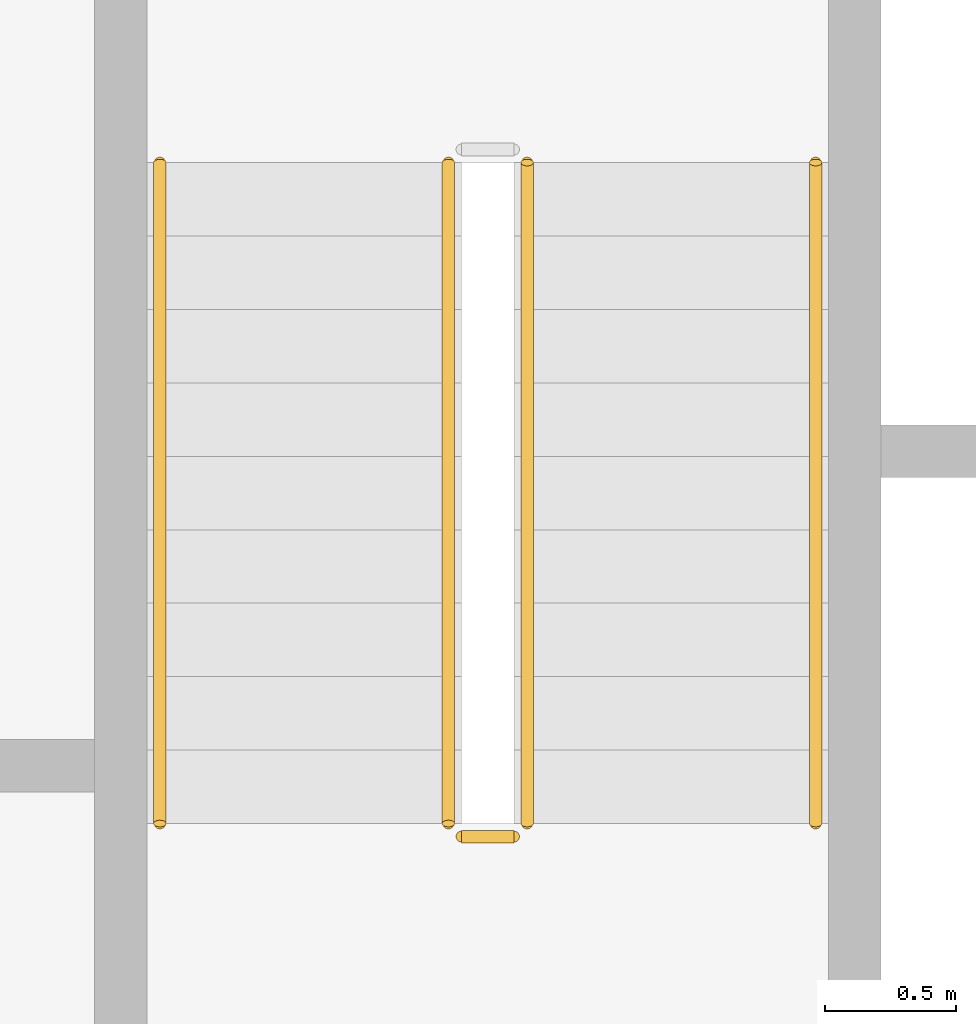
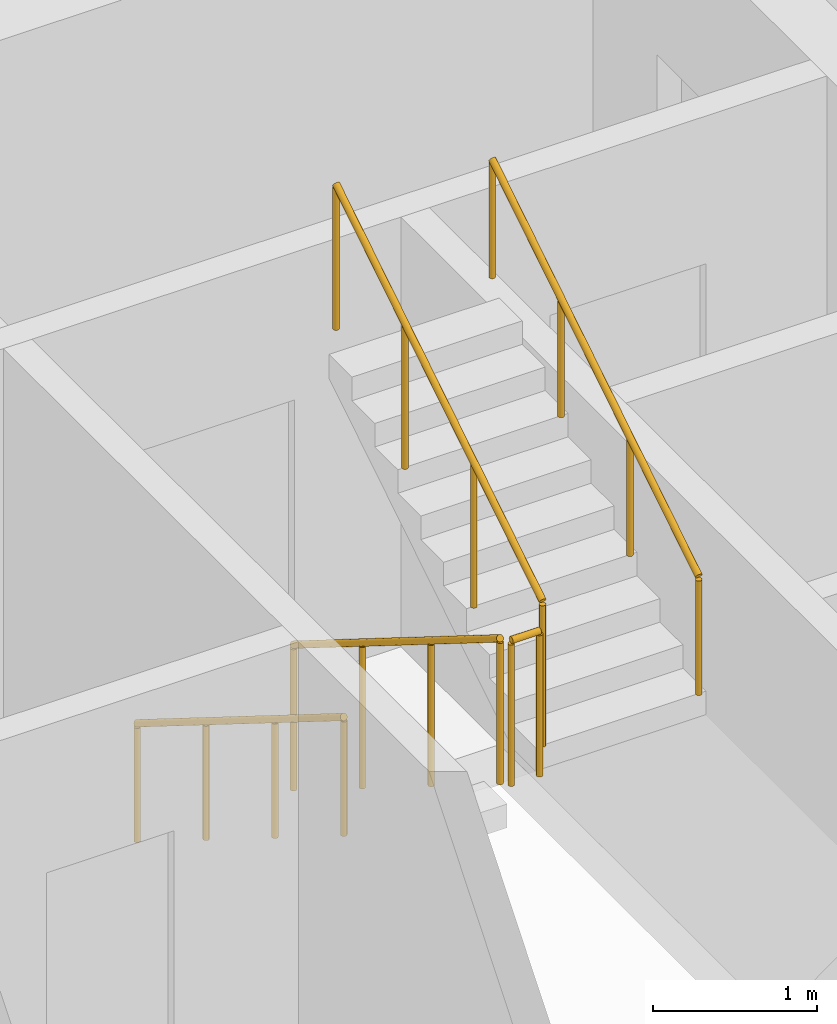
# One storey, part 15 of 22: 5 railings.
"""IFC4 building model written with IfcOpenShell, lengths in metres."""

from ifc_helpers import new_model, si_unit, direction, frame, origin, origin_2d, place, context, subcontext, project, spatial, circle, extrude, material, type_object, element, save


model = new_model("IFC4")

# Units and contexts
model_context = context("Model", 3, precision=1e-05, world=origin(), true_north=direction((0.0, 1.0)))
body_context = subcontext(model_context, "Body", "Model", "MODEL_VIEW")
ifc_project = project(units=[si_unit("LENGTHUNIT", "METRE"), si_unit("AREAUNIT", "SQUARE_METRE"), si_unit("VOLUMEUNIT", "CUBIC_METRE"), si_unit("PLANEANGLEUNIT", "RADIAN"), si_unit("MASSUNIT", "GRAM", prefix="KILO")], contexts=[model_context])

# Site, building, storey
site_placement = place(None, origin())
site = spatial("IfcSite", under=ifc_project, at=site_placement, CompositionType="ELEMENT")
building_placement = place(site_placement, origin())
building = spatial("IfcBuilding", under=site, at=building_placement, Name="Kiln Ring Residences", CompositionType="ELEMENT")
storey_placement = place(building_placement, frame((0.0, 0.0, 164.10009765625)))
storey = spatial("IfcBuildingStorey", under=building, at=storey_placement, Name="L42", CompositionType="ELEMENT", Elevation=164.10009765625)

# Railings
ifc_material_1 = material(Name="Stainless steel", Category="steel")
railing_type_1 = type_object("IfcRailingType", Name="CORE-STAIR-GUARD", PredefinedType="GUARDRAIL", material=ifc_material_1)
railing_1_placement = place(storey_placement, frame((-22.25, 8.39990234375, 0.1748046875)))
element("IfcRailing", 1, at=railing_1_placement, inside=storey, type_object=railing_type_1, Name="L42 W-STN stair guard 1", PredefinedType="GUARDRAIL", context=body_context, shape_type="SweptSolid", body=[
    extrude(circle(Radius=0.02392578125, at=origin_2d()), frame((0.0, 0.0, 1.076171875), z_axis=(0.0, -0.847970611238, 0.530043245855), x_axis=(1.0, 0.0, 0.0)), (0.0, 0.0, 1.0), 2.971923828125),
    extrude(circle(Radius=0.02099609375, at=origin_2d()), origin(), (0.0, 0.0, 1.0), 1.052001953125),
    extrude(circle(Radius=0.02099609375, at=origin_2d()), frame((0.0, -0.840087890625, 0.525146484375)), (0.0, 0.0, 1.0), 1.052001953125),
    extrude(circle(Radius=0.02099609375, at=origin_2d()), frame((0.0, -1.679931640625, 1.050048828125)), (0.0, 0.0, 1.0), 1.052001953125),
    extrude(circle(Radius=0.02099609375, at=origin_2d()), frame((0.0, -2.52001953125, 1.5751953125)), (0.0, 0.0, 1.0), 1.052001953125),
])
railing_2_placement = place(storey_placement, frame((-22.199951171875, 5.830078125, 1.75)))
element("IfcRailing", 2, at=railing_2_placement, inside=storey, type_object=railing_type_1, Name="L42 W-STN stair guard 2", PredefinedType="GUARDRAIL", context=body_context, shape_type="SweptSolid", body=[
    extrude(circle(Radius=0.02392578125, at=origin_2d()), frame((0.0, 0.0, 1.076171875), z_axis=(1.0, 0.0, 0.0), x_axis=(0.0, 1.0, 0.0)), (0.0, 0.0, 1.0), 0.199951171875),
    extrude(circle(Radius=0.02099609375, at=origin_2d()), origin(), (0.0, 0.0, 1.0), 1.052001953125),
    extrude(circle(Radius=0.02099609375, at=origin_2d()), frame((0.199951171875, 0.0, 0.0)), (0.0, 0.0, 1.0), 1.052001953125),
])
railing_3_placement = place(storey_placement, frame((-21.949951171875, 5.8798828125, 1.9248046875)))
element("IfcRailing", 3, at=railing_3_placement, inside=storey, type_object=railing_type_1, Name="L42 W-STN stair guard 3", PredefinedType="GUARDRAIL", context=body_context, shape_type="SweptSolid", body=[
    extrude(circle(Radius=0.02392578125, at=origin_2d()), frame((0.0, 0.0, 1.076171875), z_axis=(0.0, 0.847970611238, 0.530043245855), x_axis=(-1.0, 0.0, 0.0)), (0.0, 0.0, 1.0), 2.971923828125),
    extrude(circle(Radius=0.02099609375, at=origin_2d()), origin(), (0.0, 0.0, 1.0), 1.052001953125),
    extrude(circle(Radius=0.02099609375, at=origin_2d()), frame((0.0, 0.840087890625, 0.525146484375)), (0.0, 0.0, 1.0), 1.052001953125),
    extrude(circle(Radius=0.02099609375, at=origin_2d()), frame((0.0, 1.679931640625, 1.050048828125)), (0.0, 0.0, 1.0), 1.052001953125),
    extrude(circle(Radius=0.02099609375, at=origin_2d()), frame((0.0, 2.52001953125, 1.5751953125)), (0.0, 0.0, 1.0), 1.052001953125),
])
ifc_material_2 = material(Name="Stainless steel", Category="steel")
railing_type_2 = type_object("IfcRailingType", Name="CORE-STAIR-HANDRAIL", PredefinedType="HANDRAIL", material=ifc_material_2)
railing_4_placement = place(storey_placement, frame((-23.35009765625, 8.39990234375, 0.1748046875)))
element("IfcRailing", 4, at=railing_4_placement, inside=storey, type_object=railing_type_2, Name="L42 W-STN stair handrail 1", PredefinedType="HANDRAIL", context=body_context, shape_type="SweptSolid", body=[
    extrude(circle(Radius=0.02392578125, at=origin_2d()), frame((0.0, 0.0, 0.8759765625), z_axis=(0.0, -0.847970611238, 0.530043245855), x_axis=(1.0, 0.0, 0.0)), (0.0, 0.0, 1.0), 2.971923828125),
    extrude(circle(Radius=0.02099609375, at=origin_2d()), origin(), (0.0, 0.0, 1.0), 0.851806640625),
    extrude(circle(Radius=0.02099609375, at=origin_2d()), frame((0.0, -0.840087890625, 0.525146484375)), (0.0, 0.0, 1.0), 0.851806640625),
    extrude(circle(Radius=0.02099609375, at=origin_2d()), frame((0.0, -1.679931640625, 1.050048828125)), (0.0, 0.0, 1.0), 0.851806640625),
    extrude(circle(Radius=0.02099609375, at=origin_2d()), frame((0.0, -2.52001953125, 1.5751953125)), (0.0, 0.0, 1.0), 0.851806640625),
])
railing_5_placement = place(storey_placement, frame((-20.85009765625, 5.8798828125, 1.9248046875)))
element("IfcRailing", 5, at=railing_5_placement, inside=storey, type_object=railing_type_2, Name="L42 W-STN stair handrail 2", PredefinedType="HANDRAIL", context=body_context, shape_type="SweptSolid", body=[
    extrude(circle(Radius=0.02392578125, at=origin_2d()), frame((0.0, 0.0, 0.8759765625), z_axis=(0.0, 0.847970611238, 0.530043245855), x_axis=(-1.0, 0.0, 0.0)), (0.0, 0.0, 1.0), 2.971923828125),
    extrude(circle(Radius=0.02099609375, at=origin_2d()), origin(), (0.0, 0.0, 1.0), 0.851806640625),
    extrude(circle(Radius=0.02099609375, at=origin_2d()), frame((0.0, 0.840087890625, 0.525146484375)), (0.0, 0.0, 1.0), 0.851806640625),
    extrude(circle(Radius=0.02099609375, at=origin_2d()), frame((0.0, 1.679931640625, 1.050048828125)), (0.0, 0.0, 1.0), 0.851806640625),
    extrude(circle(Radius=0.02099609375, at=origin_2d()), frame((0.0, 2.52001953125, 1.5751953125)), (0.0, 0.0, 1.0), 0.851806640625),
])

save(model, "model.ifc")
